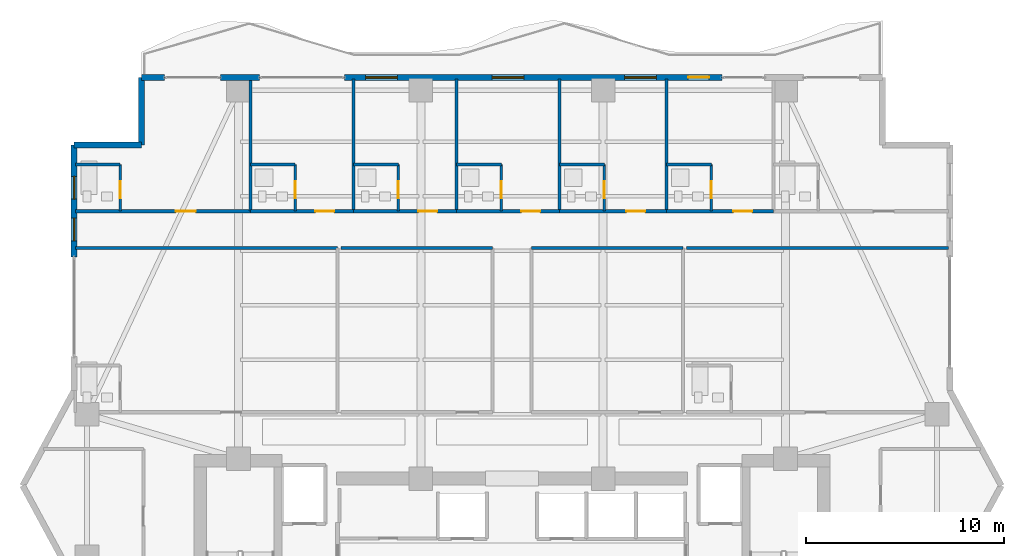
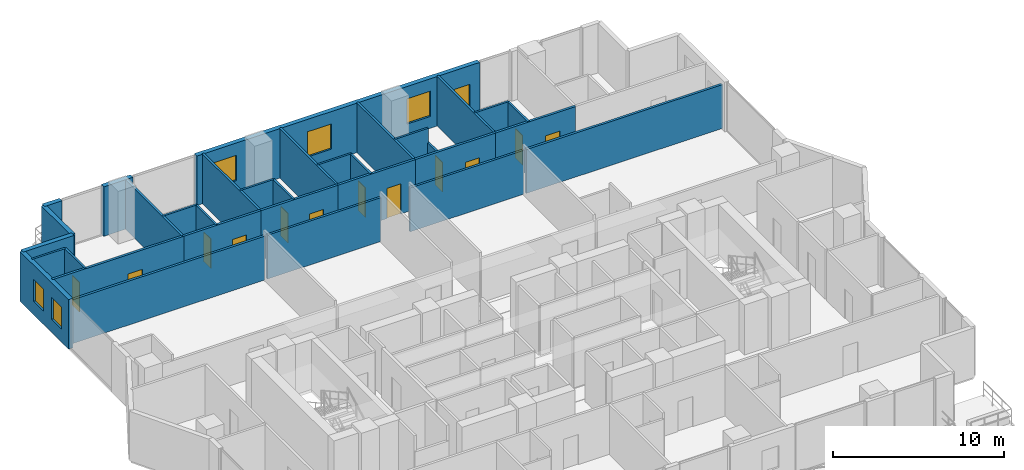
# One storey, part 27 of 32: 33 walls, 13 doors, 5 windows, 18 openings.
"""IFC4 building model written with IfcOpenShell, lengths in metres."""

from ifc_helpers import new_model, si_unit, direction, frame, frame_2d, origin, place, context, subcontext, project, spatial, rectangle, extrude, material, layer, layer_set, type_object, element, fill, save


model = new_model("IFC4")

# Units and contexts
model_context = context("Model", 3, precision=1e-05, world=origin(), true_north=direction((0.0, 1.0)))
body_context = subcontext(model_context, "Body", "Model", "MODEL_VIEW")
ifc_project = project(units=[si_unit("LENGTHUNIT", "METRE"), si_unit("AREAUNIT", "SQUARE_METRE"), si_unit("VOLUMEUNIT", "CUBIC_METRE"), si_unit("PLANEANGLEUNIT", "RADIAN"), si_unit("MASSUNIT", "GRAM", prefix="KILO")], contexts=[model_context])

# Site, building, storey
site_placement = place(None, origin())
site = spatial("IfcSite", under=ifc_project, at=site_placement, CompositionType="ELEMENT")
building_placement = place(site_placement, origin())
building = spatial("IfcBuilding", under=site, at=building_placement, Name="Zuhayl Quay Hotel", CompositionType="ELEMENT")
storey_placement = place(building_placement, frame((0.0, 0.0, 203.64990234375)))
storey = spatial("IfcBuildingStorey", under=building, at=storey_placement, Name="L51", CompositionType="ELEMENT", Elevation=203.64990234375)

# Wall, openings, windows
ifc_material_1 = material(Name="Precast concrete C45/55", Category="concrete")
ifc_layer_1 = layer(ifc_material_1, 0.300048828125, Name="Precast concrete C45/55", Category="concrete")
ifc_layer_set_1 = layer_set([ifc_layer_1], Name="Precast concrete C45/55")
wall_type_1 = type_object("IfcWallType", Name="WL_EXT_300", PredefinedType="STANDARD", material=ifc_layer_set_1)
wall_1_placement = place(storey_placement, frame((-22.10009765625, 24.550048828125, 0.0), z_axis=(0.0, 0.0, 1.0), x_axis=(0.0, 1.0, 0.0)))
wall_1 = element("IfcWall", 1, at=wall_1_placement, inside=storey, type_object=wall_type_1, Name="L51 Exterior Precast Wall ENV_L51_E05_EW2", PredefinedType="STANDARD", context=body_context, shape_type="SweptSolid", body=[
    extrude(rectangle(XDim=5.64990234375, YDim=0.300048828125, at=frame_2d((2.824951171875, 0.0))), origin(), (0.0, 0.0, 1.0), 3.530029296875),
])
opening_1_placement = place(wall_1_placement, frame((0.800048828125, 0.0, 0.949951171875)))
opening_1 = element("IfcOpeningElement", 2, at=opening_1_placement, cuts=wall_1, Name="Opening W01N", PredefinedType="OPENING", context=body_context, shape_type="SweptSolid", body=[
    extrude(rectangle(XDim=1.14990234375, YDim=1.550048828125, at=frame_2d((0.574951171875, 0.77490234375))), frame((0.0, 0.159912109375, 0.0), z_axis=(0.0, -1.0, 0.0), x_axis=(1.0, 0.0, 0.0)), (0.0, 0.0, 1.0), 0.320068359375),
])
opening_2_placement = place(wall_1_placement, frame((2.905029296875, 0.0, 0.949951171875)))
opening_2 = element("IfcOpeningElement", 3, at=opening_2_placement, cuts=wall_1, Name="Opening W01N", PredefinedType="OPENING", context=body_context, shape_type="SweptSolid", body=[
    extrude(rectangle(XDim=1.14990234375, YDim=1.550048828125, at=frame_2d((0.574951171875, 0.77490234375))), frame((0.0, 0.159912109375, 0.0), z_axis=(0.0, -1.0, 0.0), x_axis=(1.0, 0.0, 0.0)), (0.0, 0.0, 1.0), 0.320068359375),
])
ifc_material_2 = material(Name="Dark Ceramic-Fritted Solar Glass", Category="glass")
window_type_1 = type_object("IfcWindowType", Name="WN_NOTCH_1350", PartitioningType="SINGLE_PANEL", PredefinedType="WINDOW", material=ifc_material_2)
window_1_placement = place(opening_1_placement, origin())
window_1 = element("IfcWindow", 4, at=window_1_placement, inside=storey, type_object=window_type_1, Name="L51 Operable Facade Window 2-1", OverallHeight=1.550048828125, OverallWidth=1.14990234375, PartitioningType="SINGLE_PANEL", PredefinedType="WINDOW", context=body_context, shape_type="SweptSolid", body=[
    extrude(rectangle(XDim=1.14990234375, YDim=1.550048828125, at=frame_2d((0.574951171875, 0.77490234375))), frame((0.0, 0.030029296875, 0.0), z_axis=(0.0, -1.0, 0.0), x_axis=(1.0, 0.0, 0.0)), (0.0, 0.0, 1.0), 0.06005859375),
])
fill(opening_1, window_1)
window_2_placement = place(opening_2_placement, origin())
window_2 = element("IfcWindow", 5, at=window_2_placement, inside=storey, type_object=window_type_1, Name="L51 Operable Facade Window 2-2", OverallHeight=1.550048828125, OverallWidth=1.14990234375, PartitioningType="SINGLE_PANEL", PredefinedType="WINDOW", context=body_context, shape_type="SweptSolid", body=[
    extrude(rectangle(XDim=1.14990234375, YDim=1.550048828125, at=frame_2d((0.574951171875, 0.77490234375))), frame((0.0, 0.030029296875, 0.0), z_axis=(0.0, -1.0, 0.0), x_axis=(1.0, 0.0, 0.0)), (0.0, 0.0, 1.0), 0.06005859375),
])
fill(opening_2, window_2)

# Walls
for number, where, z_axis, x_axis, name in (
    (6, (-22.10009765625, 30.199951171875, 0.0), (0.0, 0.0, 1.0), (1.0, 0.0, 0.0), "L51 Exterior Precast Wall ENV_L51_EW06"),
    (7, (-18.699951171875, 30.199951171875, 0.0), (0.0, 0.0, 1.0), (0.0, 1.0, 0.0), "L51 Exterior Precast Wall ENV_L51_EW07"),
):
    element("IfcWall", number, at=place(storey_placement, frame(where, z_axis=z_axis, x_axis=x_axis)), inside=storey, type_object=wall_type_1, Name=name, PredefinedType="STANDARD", context=body_context, shape_type="SweptSolid", body=[
        extrude(rectangle(XDim=3.400146484375, YDim=0.300048828125, at=frame_2d((1.7001953125, 0.0))), origin(), (0.0, 0.0, 1.0), 3.530029296875),
    ])
wall_2_placement = place(storey_placement, frame((-18.699951171875, 33.60009765625, 0.0), z_axis=(0.0, 0.0, 1.0), x_axis=(1.0, 0.0, 0.0)))
element("IfcWall", 8, at=wall_2_placement, inside=storey, type_object=wall_type_1, Name="L51 Exterior Precast Wall ENV_L51_N_EW1", PredefinedType="STANDARD", context=body_context, shape_type="SweptSolid", body=[
    extrude(rectangle(XDim=1.14990234375, YDim=0.300048828125, at=frame_2d((0.574951171875, 0.0))), origin(), (0.0, 0.0, 1.0), 3.530029296875),
])
wall_3_placement = place(storey_placement, frame((-14.719970703125, 33.60009765625, 0.0), z_axis=(0.0, 0.0, 1.0), x_axis=(1.0, 0.0, 0.0)))
element("IfcWall", 9, at=wall_3_placement, inside=storey, type_object=wall_type_1, Name="L51 Exterior Precast Wall ENV_L51_N_EW2", PredefinedType="STANDARD", context=body_context, shape_type="SweptSolid", body=[
    extrude(rectangle(XDim=1.969970703125, YDim=0.300048828125, at=frame_2d((0.98486328125, 0.0))), origin(), (0.0, 0.0, 1.0), 3.530029296875),
])

# Wall, openings, door, windows
wall_4_placement = place(storey_placement, frame((-8.449951171875, 33.60009765625, 0.0), z_axis=(0.0, 0.0, 1.0), x_axis=(1.0, 0.0, 0.0)))
wall_4 = element("IfcWall", 10, at=wall_4_placement, inside=storey, type_object=wall_type_1, Name="L51 Exterior Precast Wall ENV_L51_N_EW3", PredefinedType="STANDARD", context=body_context, shape_type="SweptSolid", body=[
    extrude(rectangle(XDim=19.044921875, YDim=0.300048828125, at=frame_2d((9.5224609375, 0.0))), origin(), (0.0, 0.0, 1.0), 3.530029296875),
])
opening_3_placement = place(wall_4_placement, frame((17.344970703125, 0.0, 0.0)))
opening_3 = element("IfcOpeningElement", 11, at=opening_3_placement, cuts=wall_4, Name="Opening DG1", PredefinedType="OPENING", context=body_context, shape_type="SweptSolid", body=[
    extrude(rectangle(XDim=1.050048828125, YDim=2.199951171875, at=frame_2d((0.52490234375, 1.10009765625))), frame((0.0, 0.159912109375, 0.0), z_axis=(0.0, -1.0, 0.0), x_axis=(1.0, 0.0, 0.0)), (0.0, 0.0, 1.0), 0.320068359375),
])
opening_4_placement = place(wall_4_placement, frame((7.449951171875, 0.0, 0.85009765625)))
opening_4 = element("IfcOpeningElement", 12, at=opening_4_placement, cuts=wall_4, Name="Opening W01", PredefinedType="OPENING", context=body_context, shape_type="SweptSolid", body=[
    extrude(rectangle(XDim=1.60009765625, YDim=1.800048828125, at=frame_2d((0.800048828125, 0.89990234375))), frame((0.0, 0.159912109375, 0.0), z_axis=(0.0, -1.0, 0.0), x_axis=(1.0, 0.0, 0.0)), (0.0, 0.0, 1.0), 0.320068359375),
])
opening_5_placement = place(wall_4_placement, frame((1.06005859375, 0.0, 0.85009765625)))
opening_5 = element("IfcOpeningElement", 13, at=opening_5_placement, cuts=wall_4, Name="Opening W01", PredefinedType="OPENING", context=body_context, shape_type="SweptSolid", body=[
    extrude(rectangle(XDim=1.60009765625, YDim=1.800048828125, at=frame_2d((0.800048828125, 0.89990234375))), frame((0.0, 0.159912109375, 0.0), z_axis=(0.0, -1.0, 0.0), x_axis=(1.0, 0.0, 0.0)), (0.0, 0.0, 1.0), 0.320068359375),
])
opening_6_placement = place(wall_4_placement, frame((14.139892578125, 0.0, 0.85009765625)))
opening_6 = element("IfcOpeningElement", 14, at=opening_6_placement, cuts=wall_4, Name="Opening W01", PredefinedType="OPENING", context=body_context, shape_type="SweptSolid", body=[
    extrude(rectangle(XDim=1.60009765625, YDim=1.800048828125, at=frame_2d((0.800048828125, 0.89990234375))), frame((0.0, 0.159912109375, 0.0), z_axis=(0.0, -1.0, 0.0), x_axis=(1.0, 0.0, 0.0)), (0.0, 0.0, 1.0), 0.320068359375),
])
ifc_material_3 = material(Name="Anodised Aluminium and Dark Solar Glass", Category="aluminium")
door_type_1 = type_object("IfcDoorType", Name="DR_EXT_TERR_1050", OperationType="NOTDEFINED", PredefinedType="DOOR", material=ifc_material_3)
door_1_placement = place(opening_3_placement, origin())
door_1 = element("IfcDoor", 15, at=door_1_placement, inside=storey, type_object=door_type_1, Name="L51 North Rippling Balcony Door", OperationType="SINGLE_SWING_LEFT", OverallHeight=2.199951171875, OverallWidth=1.050048828125, PredefinedType="DOOR", context=body_context, shape_type="SweptSolid", body=[
    extrude(rectangle(XDim=1.050048828125, YDim=2.199951171875, at=frame_2d((0.52490234375, 1.10009765625))), frame((0.0, 0.02490234375, 0.0), z_axis=(0.0, -1.0, 0.0), x_axis=(1.0, 0.0, 0.0)), (0.0, 0.0, 1.0), 0.050048828125),
])
fill(opening_3, door_1)
window_type_2 = type_object("IfcWindowType", Name="WN_OPERABLE_1600", PartitioningType="DOUBLE_PANEL_VERTICAL", PredefinedType="WINDOW", material=ifc_material_2)
window_3_placement = place(opening_4_placement, origin())
window_3 = element("IfcWindow", 16, at=window_3_placement, inside=storey, type_object=window_type_2, Name="L51 North Operable Casement Window", OverallHeight=1.800048828125, OverallWidth=1.60009765625, PartitioningType="SINGLE_PANEL", PredefinedType="WINDOW", context=body_context, shape_type="SweptSolid", body=[
    extrude(rectangle(XDim=1.60009765625, YDim=1.800048828125, at=frame_2d((0.800048828125, 0.89990234375))), frame((0.0, 0.030029296875, 0.0), z_axis=(0.0, -1.0, 0.0), x_axis=(1.0, 0.0, 0.0)), (0.0, 0.0, 1.0), 0.06005859375),
])
fill(opening_4, window_3)
window_4_placement = place(opening_5_placement, origin())
window_4 = element("IfcWindow", 17, at=window_4_placement, inside=storey, type_object=window_type_2, Name="L51 Operable Facade Window 3-1", OverallHeight=1.800048828125, OverallWidth=1.60009765625, PartitioningType="SINGLE_PANEL", PredefinedType="WINDOW", context=body_context, shape_type="SweptSolid", body=[
    extrude(rectangle(XDim=1.60009765625, YDim=1.800048828125, at=frame_2d((0.800048828125, 0.89990234375))), frame((0.0, 0.030029296875, 0.0), z_axis=(0.0, -1.0, 0.0), x_axis=(1.0, 0.0, 0.0)), (0.0, 0.0, 1.0), 0.06005859375),
])
fill(opening_5, window_4)
window_5_placement = place(opening_6_placement, origin())
window_5 = element("IfcWindow", 18, at=window_5_placement, inside=storey, type_object=window_type_2, Name="L51 Operable Facade Window 3-2", OverallHeight=1.800048828125, OverallWidth=1.60009765625, PartitioningType="SINGLE_PANEL", PredefinedType="WINDOW", context=body_context, shape_type="SweptSolid", body=[
    extrude(rectangle(XDim=1.60009765625, YDim=1.800048828125, at=frame_2d((0.800048828125, 0.89990234375))), frame((0.0, 0.030029296875, 0.0), z_axis=(0.0, -1.0, 0.0), x_axis=(1.0, 0.0, 0.0)), (0.0, 0.0, 1.0), 0.06005859375),
])
fill(opening_6, window_5)

# Walls
ifc_material_4 = material(Name="Acoustic Gypsum Partition STC-58")
ifc_layer_2 = layer(ifc_material_4, 0.14990234375, Name="Acoustic Gypsum Partition STC-58")
ifc_layer_set_2 = layer_set([ifc_layer_2], Name="Acoustic Gypsum Partition STC-58")
wall_type_2 = type_object("IfcWallType", Name="WL_PART_150", PredefinedType="PARTITIONING", material=ifc_layer_set_2)
for number, where, z_axis, x_axis, name in (
    (19, (-13.199951171875, 26.85009765625, 0.0), (0.0, 0.0, 1.0), (0.0, 1.0, 0.0), "L51 Partition IW_L51_NU01_E"),
    (20, (-8.0, 26.85009765625, 0.0), (0.0, 0.0, 1.0), (0.0, 1.0, 0.0), "L51 Partition IW_L51_NU02_E"),
    (21, (-2.800048828125, 26.85009765625, 0.0), (0.0, 0.0, 1.0), (0.0, 1.0, 0.0), "L51 Partition IW_L51_NU03_E"),
    (22, (2.39990234375, 26.85009765625, 0.0), (0.0, 0.0, 1.0), (0.0, 1.0, 0.0), "L51 Partition IW_L51_NU04_E"),
    (23, (7.800048828125, 26.85009765625, 0.0), (0.0, 0.0, 1.0), (0.0, 1.0, 0.0), "L51 Partition IW_L51_NU05_E"),
):
    element("IfcWall", number, at=place(storey_placement, frame(where, z_axis=z_axis, x_axis=x_axis)), inside=storey, type_object=wall_type_2, Name=name, PredefinedType="PARTITIONING", context=body_context, shape_type="SweptSolid", body=[
        extrude(rectangle(XDim=6.669921875, YDim=0.14990234375, at=frame_2d((3.3349609375, 0.0))), origin(), (0.0, 0.0, 1.0), 3.530029296875),
    ])
for number, where, z_axis, x_axis, name in (
    (24, (-8.639892578125, 25.0, 0.0), (0.0, 0.0, 1.0), (1.0, 0.0, 0.0), "L51 Partition IW_L51_Z3_MID_W_N"),
    (25, (0.97998046875, 25.0, 0.0), (0.0, 0.0, 1.0), (1.0, 0.0, 0.0), "L51 Partition IW_L51_Z3_MID_E_N"),
):
    element("IfcWall", number, at=place(storey_placement, frame(where, z_axis=z_axis, x_axis=x_axis)), inside=storey, type_object=wall_type_2, Name=name, PredefinedType="PARTITIONING", context=body_context, shape_type="SweptSolid", body=[
        extrude(rectangle(XDim=7.659912109375, YDim=0.14990234375, at=frame_2d((3.830078125, 0.0))), origin(), (0.0, 0.0, 1.0), 3.1240234375),
    ])

# Wall, opening, door
ifc_layer_3 = layer(ifc_material_4, 0.159912109375, Name="Acoustic Gypsum Partition STC-58")
ifc_layer_set_3 = layer_set([ifc_layer_3], Name="Acoustic Gypsum Partition STC-58")
wall_type_3 = type_object("IfcWallType", Name="WL_PART_CORR_160", PredefinedType="PARTITIONING", material=ifc_layer_set_3)
wall_5_placement = place(storey_placement, frame((-22.0400390625, 26.85009765625, 0.0), z_axis=(0.0, 0.0, 1.0), x_axis=(1.0, 0.0, 0.0)))
wall_5 = element("IfcWall", 26, at=wall_5_placement, inside=storey, type_object=wall_type_3, Name="L51 Partition IW_L51_NU01_COR", PredefinedType="PARTITIONING", context=body_context, shape_type="SweptSolid", body=[
    extrude(rectangle(XDim=8.840087890625, YDim=0.159912109375, at=frame_2d((4.419921875, 0.0))), origin(), (0.0, 0.0, 1.0), 3.530029296875),
])
opening_7_placement = place(wall_5_placement, frame((5.070068359375, 0.0, 0.0)))
opening_7 = element("IfcOpeningElement", 27, at=opening_7_placement, cuts=wall_5, Name="Opening D03L", PredefinedType="OPENING", context=body_context, shape_type="SweptSolid", body=[
    extrude(rectangle(XDim=1.0, YDim=2.14990234375, at=frame_2d((0.5, 1.074951171875))), frame((0.0, 0.08984375, 0.0), z_axis=(0.0, -1.0, 0.0), x_axis=(1.0, 0.0, 0.0)), (0.0, 0.0, 1.0), 0.179931640625),
])
ifc_material_5 = material(Name="Solid Walnut Acoustic Fire Door")
door_type_2 = type_object("IfcDoorType", Name="DR_SUITE_1000", OperationType="NOTDEFINED", PredefinedType="DOOR", material=ifc_material_5)
door_2_placement = place(opening_7_placement, origin())
door_2 = element("IfcDoor", 28, at=door_2_placement, inside=storey, type_object=door_type_2, Name="L51 Panoramic Gulf Guest Room L51-01 Entrance Door", OperationType="SINGLE_SWING_RIGHT", OverallHeight=2.14990234375, OverallWidth=1.0, PredefinedType="DOOR", context=body_context, shape_type="SweptSolid", body=[
    extrude(rectangle(XDim=1.0, YDim=2.14990234375, at=frame_2d((0.5, 1.074951171875))), frame((0.0, 0.02490234375, 0.0), z_axis=(0.0, -1.0, 0.0), x_axis=(1.0, 0.0, 0.0)), (0.0, 0.0, 1.0), 0.050048828125),
])
fill(opening_7, door_2)

wall_6_placement = place(storey_placement, frame((-13.199951171875, 26.85009765625, 0.0), z_axis=(0.0, 0.0, 1.0), x_axis=(1.0, 0.0, 0.0)))
wall_6 = element("IfcWall", 29, at=wall_6_placement, inside=storey, type_object=wall_type_3, Name="L51 Partition IW_L51_NU02_COR", PredefinedType="PARTITIONING", context=body_context, shape_type="SweptSolid", body=[
    extrude(rectangle(XDim=5.199951171875, YDim=0.159912109375, at=frame_2d((2.60009765625, 0.0))), origin(), (0.0, 0.0, 1.0), 3.530029296875),
])
opening_8_placement = place(wall_6_placement, frame((3.27490234375, 0.0, 0.0)))
opening_8 = element("IfcOpeningElement", 30, at=opening_8_placement, cuts=wall_6, Name="Opening D03", PredefinedType="OPENING", context=body_context, shape_type="SweptSolid", body=[
    extrude(rectangle(XDim=0.949951171875, YDim=2.14990234375, at=frame_2d((0.47509765625, 1.074951171875))), frame((0.0, 0.08984375, 0.0), z_axis=(0.0, -1.0, 0.0), x_axis=(1.0, 0.0, 0.0)), (0.0, 0.0, 1.0), 0.179931640625),
])
door_type_3 = type_object("IfcDoorType", Name="DR_SUITE_950", OperationType="NOTDEFINED", PredefinedType="DOOR", material=ifc_material_5)
door_3_placement = place(opening_8_placement, origin())
door_3 = element("IfcDoor", 31, at=door_3_placement, inside=storey, type_object=door_type_3, Name="L51 Panoramic Gulf Guest Room L51-02 Entrance Door", OperationType="SINGLE_SWING_RIGHT", OverallHeight=2.14990234375, OverallWidth=0.949951171875, PredefinedType="DOOR", context=body_context, shape_type="SweptSolid", body=[
    extrude(rectangle(XDim=0.949951171875, YDim=2.14990234375, at=frame_2d((0.47509765625, 1.074951171875))), frame((0.0, 0.02490234375, 0.0), z_axis=(0.0, -1.0, 0.0), x_axis=(1.0, 0.0, 0.0)), (0.0, 0.0, 1.0), 0.050048828125),
])
fill(opening_8, door_3)

wall_7_placement = place(storey_placement, frame((-8.0, 26.85009765625, 0.0), z_axis=(0.0, 0.0, 1.0), x_axis=(1.0, 0.0, 0.0)))
wall_7 = element("IfcWall", 32, at=wall_7_placement, inside=storey, type_object=wall_type_3, Name="L51 Partition IW_L51_NU03_COR", PredefinedType="PARTITIONING", context=body_context, shape_type="SweptSolid", body=[
    extrude(rectangle(XDim=5.199951171875, YDim=0.159912109375, at=frame_2d((2.60009765625, 0.0))), origin(), (0.0, 0.0, 1.0), 3.530029296875),
])
opening_9_placement = place(wall_7_placement, frame((3.27490234375, 0.0, 0.0)))
opening_9 = element("IfcOpeningElement", 33, at=opening_9_placement, cuts=wall_7, Name="Opening D03", PredefinedType="OPENING", context=body_context, shape_type="SweptSolid", body=[
    extrude(rectangle(XDim=0.949951171875, YDim=2.14990234375, at=frame_2d((0.47509765625, 1.074951171875))), frame((0.0, 0.08984375, 0.0), z_axis=(0.0, -1.0, 0.0), x_axis=(1.0, 0.0, 0.0)), (0.0, 0.0, 1.0), 0.179931640625),
])
door_4_placement = place(opening_9_placement, origin())
door_4 = element("IfcDoor", 34, at=door_4_placement, inside=storey, type_object=door_type_3, Name="L51 Panoramic Gulf Guest Room L51-03 Entrance Door", OperationType="SINGLE_SWING_RIGHT", OverallHeight=2.14990234375, OverallWidth=0.949951171875, PredefinedType="DOOR", context=body_context, shape_type="SweptSolid", body=[
    extrude(rectangle(XDim=0.949951171875, YDim=2.14990234375, at=frame_2d((0.47509765625, 1.074951171875))), frame((0.0, 0.02490234375, 0.0), z_axis=(0.0, -1.0, 0.0), x_axis=(1.0, 0.0, 0.0)), (0.0, 0.0, 1.0), 0.050048828125),
])
fill(opening_9, door_4)

wall_8_placement = place(storey_placement, frame((-2.800048828125, 26.85009765625, 0.0), z_axis=(0.0, 0.0, 1.0), x_axis=(1.0, 0.0, 0.0)))
wall_8 = element("IfcWall", 35, at=wall_8_placement, inside=storey, type_object=wall_type_3, Name="L51 Partition IW_L51_NU04_COR", PredefinedType="PARTITIONING", context=body_context, shape_type="SweptSolid", body=[
    extrude(rectangle(XDim=5.199951171875, YDim=0.159912109375, at=frame_2d((2.60009765625, 0.0))), origin(), (0.0, 0.0, 1.0), 3.530029296875),
])
opening_10_placement = place(wall_8_placement, frame((3.27490234375, 0.0, 0.0)))
opening_10 = element("IfcOpeningElement", 36, at=opening_10_placement, cuts=wall_8, Name="Opening D03", PredefinedType="OPENING", context=body_context, shape_type="SweptSolid", body=[
    extrude(rectangle(XDim=0.949951171875, YDim=2.14990234375, at=frame_2d((0.47509765625, 1.074951171875))), frame((0.0, 0.08984375, 0.0), z_axis=(0.0, -1.0, 0.0), x_axis=(1.0, 0.0, 0.0)), (0.0, 0.0, 1.0), 0.179931640625),
])
door_5_placement = place(opening_10_placement, origin())
door_5 = element("IfcDoor", 37, at=door_5_placement, inside=storey, type_object=door_type_3, Name="L51 Panoramic Gulf Guest Room L51-04 Entrance Door", OperationType="SINGLE_SWING_RIGHT", OverallHeight=2.14990234375, OverallWidth=0.949951171875, PredefinedType="DOOR", context=body_context, shape_type="SweptSolid", body=[
    extrude(rectangle(XDim=0.949951171875, YDim=2.14990234375, at=frame_2d((0.47509765625, 1.074951171875))), frame((0.0, 0.02490234375, 0.0), z_axis=(0.0, -1.0, 0.0), x_axis=(1.0, 0.0, 0.0)), (0.0, 0.0, 1.0), 0.050048828125),
])
fill(opening_10, door_5)

wall_9_placement = place(storey_placement, frame((2.39990234375, 26.85009765625, 0.0), z_axis=(0.0, 0.0, 1.0), x_axis=(1.0, 0.0, 0.0)))
wall_9 = element("IfcWall", 38, at=wall_9_placement, inside=storey, type_object=wall_type_3, Name="L51 Partition IW_L51_NU05_COR", PredefinedType="PARTITIONING", context=body_context, shape_type="SweptSolid", body=[
    extrude(rectangle(XDim=5.400146484375, YDim=0.159912109375, at=frame_2d((2.7001953125, 0.0))), origin(), (0.0, 0.0, 1.0), 3.530029296875),
])
opening_11_placement = place(wall_9_placement, frame((3.375, 0.0, 0.0)))
opening_11 = element("IfcOpeningElement", 39, at=opening_11_placement, cuts=wall_9, Name="Opening D03", PredefinedType="OPENING", context=body_context, shape_type="SweptSolid", body=[
    extrude(rectangle(XDim=0.949951171875, YDim=2.14990234375, at=frame_2d((0.47509765625, 1.074951171875))), frame((0.0, 0.08984375, 0.0), z_axis=(0.0, -1.0, 0.0), x_axis=(1.0, 0.0, 0.0)), (0.0, 0.0, 1.0), 0.179931640625),
])
door_6_placement = place(opening_11_placement, origin())
door_6 = element("IfcDoor", 40, at=door_6_placement, inside=storey, type_object=door_type_3, Name="L51 Panoramic Gulf Guest Room L51-05 Entrance Door", OperationType="SINGLE_SWING_RIGHT", OverallHeight=2.14990234375, OverallWidth=0.949951171875, PredefinedType="DOOR", context=body_context, shape_type="SweptSolid", body=[
    extrude(rectangle(XDim=0.949951171875, YDim=2.14990234375, at=frame_2d((0.47509765625, 1.074951171875))), frame((0.0, 0.02490234375, 0.0), z_axis=(0.0, -1.0, 0.0), x_axis=(1.0, 0.0, 0.0)), (0.0, 0.0, 1.0), 0.050048828125),
])
fill(opening_11, door_6)

wall_10_placement = place(storey_placement, frame((7.800048828125, 26.85009765625, 0.0), z_axis=(0.0, 0.0, 1.0), x_axis=(1.0, 0.0, 0.0)))
wall_10 = element("IfcWall", 41, at=wall_10_placement, inside=storey, type_object=wall_type_3, Name="L51 Partition IW_L51_NU06_COR", PredefinedType="PARTITIONING", context=body_context, shape_type="SweptSolid", body=[
    extrude(rectangle(XDim=5.39990234375, YDim=0.159912109375, at=frame_2d((2.699951171875, 0.0))), origin(), (0.0, 0.0, 1.0), 3.530029296875),
])
opening_12_placement = place(wall_10_placement, frame((3.375, 0.0, 0.0)))
opening_12 = element("IfcOpeningElement", 42, at=opening_12_placement, cuts=wall_10, Name="Opening D03", PredefinedType="OPENING", context=body_context, shape_type="SweptSolid", body=[
    extrude(rectangle(XDim=0.949951171875, YDim=2.14990234375, at=frame_2d((0.47509765625, 1.074951171875))), frame((0.0, 0.08984375, 0.0), z_axis=(0.0, -1.0, 0.0), x_axis=(1.0, 0.0, 0.0)), (0.0, 0.0, 1.0), 0.179931640625),
])
door_7_placement = place(opening_12_placement, origin())
door_7 = element("IfcDoor", 43, at=door_7_placement, inside=storey, type_object=door_type_3, Name="L51 Panoramic Gulf Guest Room L51-06 Entrance Door", OperationType="SINGLE_SWING_RIGHT", OverallHeight=2.14990234375, OverallWidth=0.949951171875, PredefinedType="DOOR", context=body_context, shape_type="SweptSolid", body=[
    extrude(rectangle(XDim=0.949951171875, YDim=2.14990234375, at=frame_2d((0.47509765625, 1.074951171875))), frame((0.0, 0.02490234375, 0.0), z_axis=(0.0, -1.0, 0.0), x_axis=(1.0, 0.0, 0.0)), (0.0, 0.0, 1.0), 0.050048828125),
])
fill(opening_12, door_7)

# Walls
for number, where, z_axis, x_axis, name in (
    (44, (-22.0400390625, 25.0, 0.0), (0.0, 0.0, 1.0), (1.0, 0.0, 0.0), "L51 Partition IW_L51_MU01_BK"),
    (45, (8.800048828125, 25.0, 0.0), (0.0, 0.0, 1.0), (1.0, 0.0, 0.0), "L51 Partition IW_L51_MU04_BK"),
):
    element("IfcWall", number, at=place(storey_placement, frame(where, z_axis=z_axis, x_axis=x_axis)), inside=storey, type_object=wall_type_3, Name=name, PredefinedType="PARTITIONING", context=body_context, shape_type="SweptSolid", body=[
        extrude(rectangle(XDim=13.239990234375, YDim=0.159912109375, at=frame_2d((6.6201171875, 0.0))), origin(), (0.0, 0.0, 1.0), 3.1240234375),
    ])

# Wall, opening, door
ifc_material_6 = material(Name="Moisture-Resistant Sanitarychase Gypsum")
ifc_layer_4 = layer(ifc_material_6, 0.135009765625, Name="Moisture-Resistant Sanitarychase Gypsum")
ifc_layer_set_4 = layer_set([ifc_layer_4], Name="Moisture-Resistant Sanitarychase Gypsum")
wall_type_4 = type_object("IfcWallType", Name="WL_PART_PLUMB_150", PredefinedType="PLUMBINGWALL", material=ifc_layer_set_4)
wall_11_placement = place(storey_placement, frame((-19.780029296875, 26.85009765625, 0.0), z_axis=(0.0, 0.0, 1.0), x_axis=(0.0, 1.0, 0.0)))
wall_11 = element("IfcWall", 46, at=wall_11_placement, inside=storey, type_object=wall_type_4, Name="L51 Partition IW_L51_NU01_BE", PredefinedType="PLUMBINGWALL", context=body_context, shape_type="SweptSolid", body=[
    extrude(rectangle(XDim=2.35986328125, YDim=0.135009765625, at=frame_2d((1.179931640625, 0.0))), origin(), (0.0, 0.0, 1.0), 3.530029296875),
])
opening_13_placement = place(wall_11_placement, frame((0.64990234375, 0.0, 0.0)))
opening_13 = element("IfcOpeningElement", 47, at=opening_13_placement, cuts=wall_11, Name="Opening D04", PredefinedType="OPENING", context=body_context, shape_type="SweptSolid", body=[
    extrude(rectangle(XDim=0.85009765625, YDim=2.10009765625, at=frame_2d((0.425048828125, 1.050048828125))), frame((0.0, 0.077392578125, 0.0), z_axis=(0.0, -1.0, 0.0), x_axis=(1.0, 0.0, 0.0)), (0.0, 0.0, 1.0), 0.155029296875),
])
ifc_material_7 = material(Name="Moisture-Resistant Walnut Veneer")
door_type_4 = type_object("IfcDoorType", Name="DR_BATH_850", OperationType="NOTDEFINED", PredefinedType="DOOR", material=ifc_material_7)
door_8_placement = place(opening_13_placement, origin())
door_8 = element("IfcDoor", 48, at=door_8_placement, inside=storey, type_object=door_type_4, Name="L51 Panoramic Gulf Guest Room L51-01 En-Suite Door", OperationType="SINGLE_SWING_LEFT", OverallHeight=2.10009765625, OverallWidth=0.85009765625, PredefinedType="DOOR", context=body_context, shape_type="SweptSolid", body=[
    extrude(rectangle(XDim=0.85009765625, YDim=2.10009765625, at=frame_2d((0.425048828125, 1.050048828125))), frame((0.0, 0.02490234375, 0.0), z_axis=(0.0, -1.0, 0.0), x_axis=(1.0, 0.0, 0.0)), (0.0, 0.0, 1.0), 0.050048828125),
])
fill(opening_13, door_8)

wall_12_placement = place(storey_placement, frame((-10.93994140625, 26.85009765625, 0.0), z_axis=(0.0, 0.0, 1.0), x_axis=(0.0, 1.0, 0.0)))
wall_12 = element("IfcWall", 49, at=wall_12_placement, inside=storey, type_object=wall_type_4, Name="L51 Partition IW_L51_NU02_BE", PredefinedType="PLUMBINGWALL", context=body_context, shape_type="SweptSolid", body=[
    extrude(rectangle(XDim=2.35986328125, YDim=0.135009765625, at=frame_2d((1.179931640625, 0.0))), origin(), (0.0, 0.0, 1.0), 3.530029296875),
])
opening_14_placement = place(wall_12_placement, frame((0.64990234375, 0.0, 0.0)))
opening_14 = element("IfcOpeningElement", 50, at=opening_14_placement, cuts=wall_12, Name="Opening D04", PredefinedType="OPENING", context=body_context, shape_type="SweptSolid", body=[
    extrude(rectangle(XDim=0.85009765625, YDim=2.10009765625, at=frame_2d((0.425048828125, 1.050048828125))), frame((0.0, 0.077392578125, 0.0), z_axis=(0.0, -1.0, 0.0), x_axis=(1.0, 0.0, 0.0)), (0.0, 0.0, 1.0), 0.155029296875),
])
door_9_placement = place(opening_14_placement, origin())
door_9 = element("IfcDoor", 51, at=door_9_placement, inside=storey, type_object=door_type_4, Name="L51 Panoramic Gulf Guest Room L51-02 En-Suite Door", OperationType="SINGLE_SWING_LEFT", OverallHeight=2.10009765625, OverallWidth=0.85009765625, PredefinedType="DOOR", context=body_context, shape_type="SweptSolid", body=[
    extrude(rectangle(XDim=0.85009765625, YDim=2.10009765625, at=frame_2d((0.425048828125, 1.050048828125))), frame((0.0, 0.02490234375, 0.0), z_axis=(0.0, -1.0, 0.0), x_axis=(1.0, 0.0, 0.0)), (0.0, 0.0, 1.0), 0.050048828125),
])
fill(opening_14, door_9)

wall_13_placement = place(storey_placement, frame((-5.739990234375, 26.85009765625, 0.0), z_axis=(0.0, 0.0, 1.0), x_axis=(0.0, 1.0, 0.0)))
wall_13 = element("IfcWall", 52, at=wall_13_placement, inside=storey, type_object=wall_type_4, Name="L51 Partition IW_L51_NU03_BE", PredefinedType="PLUMBINGWALL", context=body_context, shape_type="SweptSolid", body=[
    extrude(rectangle(XDim=2.35986328125, YDim=0.135009765625, at=frame_2d((1.179931640625, 0.0))), origin(), (0.0, 0.0, 1.0), 3.530029296875),
])
opening_15_placement = place(wall_13_placement, frame((0.64990234375, 0.0, 0.0)))
opening_15 = element("IfcOpeningElement", 53, at=opening_15_placement, cuts=wall_13, Name="Opening D04", PredefinedType="OPENING", context=body_context, shape_type="SweptSolid", body=[
    extrude(rectangle(XDim=0.85009765625, YDim=2.10009765625, at=frame_2d((0.425048828125, 1.050048828125))), frame((0.0, 0.077392578125, 0.0), z_axis=(0.0, -1.0, 0.0), x_axis=(1.0, 0.0, 0.0)), (0.0, 0.0, 1.0), 0.155029296875),
])
door_10_placement = place(opening_15_placement, origin())
door_10 = element("IfcDoor", 54, at=door_10_placement, inside=storey, type_object=door_type_4, Name="L51 Panoramic Gulf Guest Room L51-03 En-Suite Door", OperationType="SINGLE_SWING_LEFT", OverallHeight=2.10009765625, OverallWidth=0.85009765625, PredefinedType="DOOR", context=body_context, shape_type="SweptSolid", body=[
    extrude(rectangle(XDim=0.85009765625, YDim=2.10009765625, at=frame_2d((0.425048828125, 1.050048828125))), frame((0.0, 0.02490234375, 0.0), z_axis=(0.0, -1.0, 0.0), x_axis=(1.0, 0.0, 0.0)), (0.0, 0.0, 1.0), 0.050048828125),
])
fill(opening_15, door_10)

wall_14_placement = place(storey_placement, frame((-0.5400390625, 26.85009765625, 0.0), z_axis=(0.0, 0.0, 1.0), x_axis=(0.0, 1.0, 0.0)))
wall_14 = element("IfcWall", 55, at=wall_14_placement, inside=storey, type_object=wall_type_4, Name="L51 Partition IW_L51_NU04_BE", PredefinedType="PLUMBINGWALL", context=body_context, shape_type="SweptSolid", body=[
    extrude(rectangle(XDim=2.35986328125, YDim=0.135009765625, at=frame_2d((1.179931640625, 0.0))), origin(), (0.0, 0.0, 1.0), 3.530029296875),
])
opening_16_placement = place(wall_14_placement, frame((0.64990234375, 0.0, 0.0)))
opening_16 = element("IfcOpeningElement", 56, at=opening_16_placement, cuts=wall_14, Name="Opening D04", PredefinedType="OPENING", context=body_context, shape_type="SweptSolid", body=[
    extrude(rectangle(XDim=0.85009765625, YDim=2.10009765625, at=frame_2d((0.425048828125, 1.050048828125))), frame((0.0, 0.077392578125, 0.0), z_axis=(0.0, -1.0, 0.0), x_axis=(1.0, 0.0, 0.0)), (0.0, 0.0, 1.0), 0.155029296875),
])
door_11_placement = place(opening_16_placement, origin())
door_11 = element("IfcDoor", 57, at=door_11_placement, inside=storey, type_object=door_type_4, Name="L51 Panoramic Gulf Guest Room L51-04 En-Suite Door", OperationType="SINGLE_SWING_LEFT", OverallHeight=2.10009765625, OverallWidth=0.85009765625, PredefinedType="DOOR", context=body_context, shape_type="SweptSolid", body=[
    extrude(rectangle(XDim=0.85009765625, YDim=2.10009765625, at=frame_2d((0.425048828125, 1.050048828125))), frame((0.0, 0.02490234375, 0.0), z_axis=(0.0, -1.0, 0.0), x_axis=(1.0, 0.0, 0.0)), (0.0, 0.0, 1.0), 0.050048828125),
])
fill(opening_16, door_11)

wall_15_placement = place(storey_placement, frame((4.659912109375, 26.85009765625, 0.0), z_axis=(0.0, 0.0, 1.0), x_axis=(0.0, 1.0, 0.0)))
wall_15 = element("IfcWall", 58, at=wall_15_placement, inside=storey, type_object=wall_type_4, Name="L51 Partition IW_L51_NU05_BE", PredefinedType="PLUMBINGWALL", context=body_context, shape_type="SweptSolid", body=[
    extrude(rectangle(XDim=2.35986328125, YDim=0.135009765625, at=frame_2d((1.179931640625, 0.0))), origin(), (0.0, 0.0, 1.0), 2.51904296875),
])
opening_17_placement = place(wall_15_placement, frame((0.64990234375, 0.0, 0.0)))
opening_17 = element("IfcOpeningElement", 59, at=opening_17_placement, cuts=wall_15, Name="Opening D04", PredefinedType="OPENING", context=body_context, shape_type="SweptSolid", body=[
    extrude(rectangle(XDim=0.85009765625, YDim=2.10009765625, at=frame_2d((0.425048828125, 1.050048828125))), frame((0.0, 0.077392578125, 0.0), z_axis=(0.0, -1.0, 0.0), x_axis=(1.0, 0.0, 0.0)), (0.0, 0.0, 1.0), 0.155029296875),
])
door_12_placement = place(opening_17_placement, origin())
door_12 = element("IfcDoor", 60, at=door_12_placement, inside=storey, type_object=door_type_4, Name="L51 Panoramic Gulf Guest Room L51-05 En-Suite Door", OperationType="SINGLE_SWING_LEFT", OverallHeight=2.10009765625, OverallWidth=0.85009765625, PredefinedType="DOOR", context=body_context, shape_type="SweptSolid", body=[
    extrude(rectangle(XDim=0.85009765625, YDim=2.10009765625, at=frame_2d((0.425048828125, 1.050048828125))), frame((0.0, 0.02490234375, 0.0), z_axis=(0.0, -1.0, 0.0), x_axis=(1.0, 0.0, 0.0)), (0.0, 0.0, 1.0), 0.050048828125),
])
fill(opening_17, door_12)

wall_16_placement = place(storey_placement, frame((10.06005859375, 26.85009765625, 0.0), z_axis=(0.0, 0.0, 1.0), x_axis=(0.0, 1.0, 0.0)))
wall_16 = element("IfcWall", 61, at=wall_16_placement, inside=storey, type_object=wall_type_4, Name="L51 Partition IW_L51_NU06_BE", PredefinedType="PLUMBINGWALL", context=body_context, shape_type="SweptSolid", body=[
    extrude(rectangle(XDim=2.35986328125, YDim=0.135009765625, at=frame_2d((1.179931640625, 0.0))), origin(), (0.0, 0.0, 1.0), 3.530029296875),
])
opening_18_placement = place(wall_16_placement, frame((0.64990234375, 0.0, 0.0)))
opening_18 = element("IfcOpeningElement", 62, at=opening_18_placement, cuts=wall_16, Name="Opening D04", PredefinedType="OPENING", context=body_context, shape_type="SweptSolid", body=[
    extrude(rectangle(XDim=0.85009765625, YDim=2.10009765625, at=frame_2d((0.425048828125, 1.050048828125))), frame((0.0, 0.077392578125, 0.0), z_axis=(0.0, -1.0, 0.0), x_axis=(1.0, 0.0, 0.0)), (0.0, 0.0, 1.0), 0.155029296875),
])
door_13_placement = place(opening_18_placement, origin())
door_13 = element("IfcDoor", 63, at=door_13_placement, inside=storey, type_object=door_type_4, Name="L51 Panoramic Gulf Guest Room L51-06 En-Suite Door", OperationType="SINGLE_SWING_LEFT", OverallHeight=2.10009765625, OverallWidth=0.85009765625, PredefinedType="DOOR", context=body_context, shape_type="SweptSolid", body=[
    extrude(rectangle(XDim=0.85009765625, YDim=2.10009765625, at=frame_2d((0.425048828125, 1.050048828125))), frame((0.0, 0.02490234375, 0.0), z_axis=(0.0, -1.0, 0.0), x_axis=(1.0, 0.0, 0.0)), (0.0, 0.0, 1.0), 0.050048828125),
])
fill(opening_18, door_13)

# Walls
for number, where, z_axis, x_axis, name in (
    (64, (-22.0400390625, 29.2099609375, 0.0), (0.0, 0.0, 1.0), (1.0, 0.0, 0.0), "L51 Partition IW_L51_NU01_BN"),
    (65, (-13.199951171875, 29.2099609375, 0.0), (0.0, 0.0, 1.0), (1.0, 0.0, 0.0), "L51 Partition IW_L51_NU02_BN"),
    (66, (-8.0, 29.2099609375, 0.0), (0.0, 0.0, 1.0), (1.0, 0.0, 0.0), "L51 Partition IW_L51_NU03_BN"),
    (67, (-2.800048828125, 29.2099609375, 0.0), (0.0, 0.0, 1.0), (1.0, 0.0, 0.0), "L51 Partition IW_L51_NU04_BN"),
    (68, (2.39990234375, 29.2099609375, 0.0), (0.0, 0.0, 1.0), (1.0, 0.0, 0.0), "L51 Partition IW_L51_NU05_BN"),
    (69, (7.800048828125, 29.2099609375, 0.0), (0.0, 0.0, 1.0), (1.0, 0.0, 0.0), "L51 Partition IW_L51_NU06_BN"),
):
    element("IfcWall", number, at=place(storey_placement, frame(where, z_axis=z_axis, x_axis=x_axis)), inside=storey, type_object=wall_type_4, Name=name, PredefinedType="PLUMBINGWALL", context=body_context, shape_type="SweptSolid", body=[
        extrude(rectangle(XDim=2.260009765625, YDim=0.135009765625, at=frame_2d((1.1298828125, 0.0))), origin(), (0.0, 0.0, 1.0), 3.530029296875),
    ])

save(model, "model.ifc")
